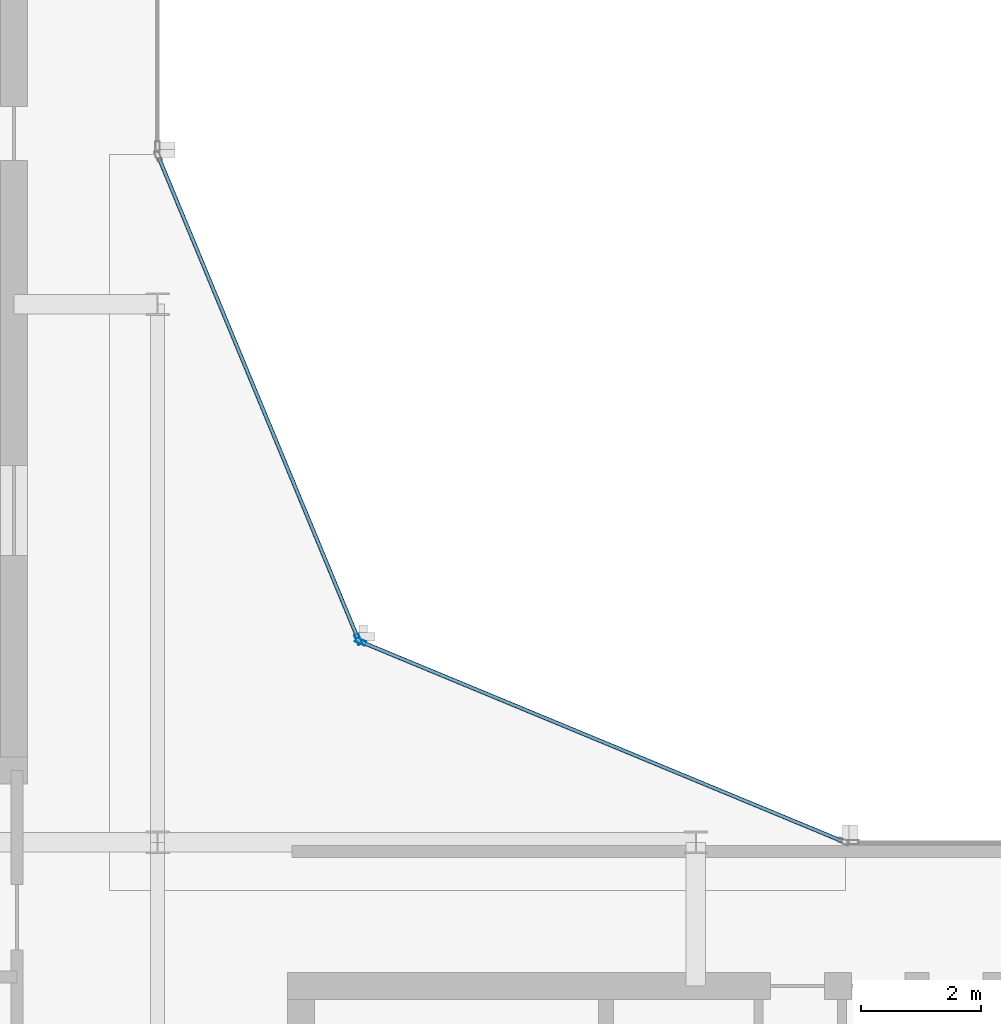
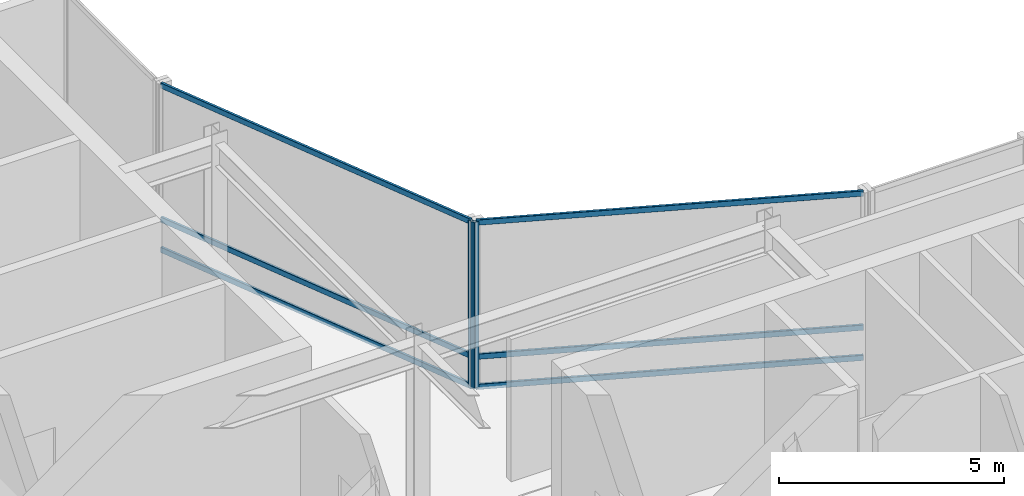
# One storey, part 10 of 23: 8 members, 2 elements without a shape of their own.
"""IFC4 building model written with IfcOpenShell, lengths in metres."""

import ifcopenshell
import ifcopenshell.guid

model = None  # the IFC model being written
_history = None  # IfcOwnerHistory: only IFC2X3 demands one
_inside = {}  # id of a spatial element -> (the spatial element, [elements in it])
_under = {}  # id of a project, library or spatial element -> (it, [spatial elements below it])
_declared = {}  # id of a project -> (the project, [libraries it declares])
_typed = {}  # id of a type object -> (the type object, [elements of that type])
_made_of = {}  # id of a material, layer set ... -> (it, [elements and type objects made of it])


def new_model(schema):
    """Start an empty IFC model of exactly this schema.

    Asked for "IFC4X3", IfcOpenShell would pick the latest addendum, in which some entities
    have other attributes; the version numbers below select the first issue.
    IFC2X3 requires an IfcOwnerHistory on every rooted entity: one is made here for all.
    """
    global model, _history
    if schema == "IFC4X3":
        model = ifcopenshell.file(schema_version=(4, 3, 0, 0))
    else:
        model = ifcopenshell.file(schema=schema)
    _inside.clear()
    _under.clear()
    _declared.clear()
    _typed.clear()
    _made_of.clear()
    _history = None
    if model.schema == "IFC2X3":
        org = make("IfcOrganization", Name="unknown")
        user = make(
            "IfcPersonAndOrganization",
            ThePerson=make("IfcPerson", FamilyName="unknown"),
            TheOrganization=org,
        )
        app = make(
            "IfcApplication",
            ApplicationDeveloper=org,
            Version="unknown",
            ApplicationFullName="unknown",
            ApplicationIdentifier="unknown",
        )
        _history = make(
            "IfcOwnerHistory",
            OwningUser=user,
            OwningApplication=app,
            ChangeAction="ADDED",
            CreationDate=0,
        )
    return model


def make(cls, **values):
    """One entity of the class cls with the attributes given. An attribute that is None is left unset."""
    return model.create_entity(
        cls, **{name: value for name, value in values.items() if value is not None}
    )


def rooted(cls, **values):
    """An entity with a GlobalId (a new one), such as an element, a storey or a relation."""
    return make(cls, GlobalId=ifcopenshell.guid.new(), OwnerHistory=_history, **values)


def si_unit(unit_type, name, prefix=None):
    """IfcSIUnit, for example si_unit("LENGTHUNIT", "METRE", prefix="MILLI")."""
    return make("IfcSIUnit", UnitType=unit_type, Prefix=prefix, Name=name)


def assignment(units):
    """IfcUnitAssignment: the units of a project."""
    return None if units is None else make("IfcUnitAssignment", Units=units)


def point(xyz):
    """IfcCartesianPoint."""
    return None if xyz is None else make("IfcCartesianPoint", Coordinates=xyz)


def direction(xyz):
    """IfcDirection."""
    return None if xyz is None else make("IfcDirection", DirectionRatios=xyz)


def frame(location, z_axis=None, x_axis=None):
    """IfcAxis2Placement3D, a coordinate frame: its origin and axes. An axis left out is left unset."""
    return make(
        "IfcAxis2Placement3D",
        Location=point(location),
        Axis=direction(z_axis),
        RefDirection=direction(x_axis),
    )


def frame_2d(location, x_axis=None):
    """IfcAxis2Placement2D, a coordinate frame in the plane: its origin and x axis."""
    return make(
        "IfcAxis2Placement2D", Location=point(location), RefDirection=direction(x_axis)
    )


def origin():
    """The frame at (0, 0, 0) with its axes left unset."""
    return frame((0.0, 0.0, 0.0))


def origin_2d():
    """The frame at (0, 0) in the plane with its x axis left unset."""
    return frame_2d((0.0, 0.0))


def place(relative_to, where):
    """IfcLocalPlacement: puts the frame where relative to a parent placement (None: the world)."""
    return make(
        "IfcLocalPlacement", PlacementRelTo=relative_to, RelativePlacement=where
    )


def context(
    kind, dimensions, precision=None, world=None, true_north=None, identifier=None
):
    """IfcGeometricRepresentationContext, for example the 3D "Model" context."""
    return make(
        "IfcGeometricRepresentationContext",
        ContextIdentifier=identifier,
        ContextType=kind,
        CoordinateSpaceDimension=dimensions,
        Precision=precision,
        WorldCoordinateSystem=world,
        TrueNorth=true_north,
    )


def subcontext(parent, identifier, kind, view, scale=None):
    """IfcGeometricRepresentationSubContext, for example "Body" below "Model"."""
    return make(
        "IfcGeometricRepresentationSubContext",
        ContextIdentifier=identifier,
        ContextType=kind,
        ParentContext=parent,
        TargetScale=scale,
        TargetView=view,
    )


def project(units=None, contexts=None):
    """IfcProject with its units and contexts."""
    return rooted(
        "IfcProject",
        Name="project",
        RepresentationContexts=contexts,
        UnitsInContext=assignment(units),
    )


def spatial(cls, under=None, at=None, **own):
    """A site, building, storey or space (cls), placed at a placement, below another one or the project."""
    s = rooted(cls, ObjectPlacement=at, **own)
    if under is not None:
        _under.setdefault(under.id(), (under, []))[1].append(s)
    return s


def profile(cls, at=None, kind="AREA", **sizes):
    """A parametric profile (cls). Its sizes go by their IFC names, for example OverallWidth=200.0."""
    return make(cls, ProfileType=kind, Position=at, **sizes)


def hollow_rectangle(**sizes):
    """IfcRectangleHollowProfileDef."""
    return profile("IfcRectangleHollowProfileDef", **sizes)


def extrude(swept, where, along, depth):
    """IfcExtrudedAreaSolid: the profile swept, set in the frame where, extruded along a direction by depth."""
    return make(
        "IfcExtrudedAreaSolid",
        SweptArea=swept,
        Position=where,
        ExtrudedDirection=direction(along),
        Depth=depth,
    )


def shape(context_of_items, identifier, shape_type, items):
    """IfcShapeRepresentation: the items that make up one representation, for example the "Body"."""
    return make(
        "IfcShapeRepresentation",
        ContextOfItems=context_of_items,
        RepresentationIdentifier=identifier,
        RepresentationType=shape_type,
        Items=items,
    )


def material(Name=None, Category=None):
    """IfcMaterial."""
    return make("IfcMaterial", Name=Name, Category=Category)


def layer(
    of_material, thickness, ventilated=None, Name=None, Category=None, Priority=None
):
    """IfcMaterialLayer: one layer of a wall or slab, of a material (None: an air gap)."""
    return make(
        "IfcMaterialLayer",
        Material=of_material,
        LayerThickness=thickness,
        IsVentilated=ventilated,
        Name=Name,
        Category=Category,
        Priority=Priority,
    )


def layer_set(layers, Name=None):
    """IfcMaterialLayerSet."""
    return make("IfcMaterialLayerSet", MaterialLayers=layers, LayerSetName=Name)


def material_profile(
    of_material, cross_section, Name=None, Category=None, Priority=None
):
    """IfcMaterialProfile: a cross section and its material."""
    return make(
        "IfcMaterialProfile",
        Name=Name,
        Material=of_material,
        Profile=cross_section,
        Priority=Priority,
        Category=Category,
    )


def profile_set(profiles, Name=None, composite=None):
    """IfcMaterialProfileSet."""
    return make(
        "IfcMaterialProfileSet",
        Name=Name,
        MaterialProfiles=profiles,
        CompositeProfile=composite,
    )


def made_of(thing, what):
    """Note that an element or type object is made of a material, layer set ...; save() writes the relation."""
    if what is not None:
        _made_of.setdefault(what.id(), (what, []))[1].append(thing)
    return thing


def type_object(cls, material=None, **own):
    """A type object (cls), such as IfcWallType, which elements share."""
    return made_of(rooted(cls, **own), material)


def element(
    cls,
    number,
    at=None,
    inside=None,
    cuts=None,
    type_object=None,
    material=None,
    context=None,
    identifier="Body",
    shape_type=None,
    held_by="IfcProductDefinitionShape",
    body=None,
    shapes=None,
    **own,
):
    """One element of the class cls, such as IfcWall. Its Tag is "e" and its number.

    at: its placement. inside: the storey or other place that contains it. cuts: it is an
    opening in that element (IfcRelVoidsElement). A single representation is given by context,
    identifier, shape_type and body (its items); several are given by shapes. held_by: the class
    of the entity that holds the representations. save() writes the other relations.
    """
    e = rooted(cls, Tag="e%d" % number, ObjectPlacement=at, **own)
    if body is not None:
        shapes = [shape(context, identifier, shape_type, body)]
    if shapes is not None:
        e.Representation = make(held_by, Representations=shapes)
    if inside is not None:
        _inside.setdefault(inside.id(), (inside, []))[1].append(e)
    if cuts is not None:
        rooted(
            "IfcRelVoidsElement", RelatingBuildingElement=cuts, RelatedOpeningElement=e
        )
    if type_object is not None:
        _typed.setdefault(type_object.id(), (type_object, []))[1].append(e)
    return made_of(e, material)


def aggregate(whole, parts):
    """IfcRelAggregates: a whole, such as a stair, and the parts it consists of."""
    return rooted("IfcRelAggregates", RelatingObject=whole, RelatedObjects=parts)


def save(model, path):
    """Write the relations noted so far, then the file.

    IfcRelAggregates (storeys below a building ...), IfcRelContainedInSpatialStructure (elements
    in a storey), IfcRelDefinesByType, IfcRelAssociatesMaterial and IfcRelDeclares: one each for
    every whole, place, type object, material and project.
    """
    for whole, parts in _under.values():
        aggregate(whole, parts)
    for where, things in _inside.values():
        rooted(
            "IfcRelContainedInSpatialStructure",
            RelatedElements=things,
            RelatingStructure=where,
        )
    for kind, things in _typed.values():
        rooted("IfcRelDefinesByType", RelatedObjects=things, RelatingType=kind)
    for what, things in _made_of.values():
        rooted("IfcRelAssociatesMaterial", RelatedObjects=things, RelatingMaterial=what)
    for by, libraries in _declared.values():
        rooted("IfcRelDeclares", RelatingContext=by, RelatedDefinitions=libraries)
    model.write(path)


model = new_model("IFC4")

# Units and contexts
model_context = context("Model", 3, precision=1e-05, world=origin(), true_north=direction((0.0, 1.0)))
body_context = subcontext(model_context, "Body", "Model", "MODEL_VIEW")
ifc_project = project(units=[si_unit("LENGTHUNIT", "METRE"), si_unit("AREAUNIT", "SQUARE_METRE"), si_unit("VOLUMEUNIT", "CUBIC_METRE"), si_unit("PLANEANGLEUNIT", "RADIAN"), si_unit("MASSUNIT", "GRAM", prefix="KILO")], contexts=[model_context])

# Site, building, storey
site_placement = place(None, origin())
site = spatial("IfcSite", under=ifc_project, at=site_placement, CompositionType="ELEMENT")
building_placement = place(site_placement, origin())
building = spatial("IfcBuilding", under=site, at=building_placement, Name="Solvaryn Broadcast Tower", CompositionType="ELEMENT")
storey_placement = place(building_placement, frame((0.0, 0.0, 285.199951171875)))
storey = spatial("IfcBuildingStorey", under=building, at=storey_placement, Name="L72", CompositionType="ELEMENT", Elevation=285.199951171875)

# Curtain wall, member
ifc_material_1 = material(Name="Aluminium and Terracotta Unitised Curtain Wall", Category="masonry")
ifc_layer = layer(ifc_material_1, 0.199951171875)
ifc_layer_set = layer_set([ifc_layer], Name="CW-SYS2-LOWMID")
curtain_wall_type = type_object("IfcCurtainWallType", Name="CW-SYS2-LOWMID", PredefinedType="NOTDEFINED", material=ifc_layer_set)
curtain_wall_1_placement = place(storey_placement, origin())
curtain_wall_1 = element("IfcCurtainWall", 1, at=curtain_wall_1_placement, inside=storey, type_object=curtain_wall_type, Name="L72 Curtain Wall CN1", PredefinedType="NOTDEFINED")
ifc_material_2 = material(Name="Anodised Aluminium 6063-T6", Category="aluminium")
ifc_material_profile_1 = material_profile(ifc_material_2, hollow_rectangle(XDim=0.074951171875, YDim=0.179931640625, WallThickness=0.00390625, InnerFilletRadius=0.00390625, OuterFilletRadius=0.008056640625, at=origin_2d()))
ifc_profile_set_1 = profile_set([ifc_material_profile_1], Name="Anodised Aluminium 6063-T6")
member_type_1 = type_object("IfcMemberType", Name="CW-MUL-180", PredefinedType="MULLION", material=ifc_profile_set_1)
member_1_placement = place(storey_placement, frame((30.395751953125, 30.3564453125, 0.0), z_axis=(0.0, 0.0, 1.0), x_axis=(-0.382646127145, -0.923894983957, 0.0)))
member_1 = element("IfcMember", 2, at=member_1_placement, type_object=member_type_1, Name="CWS2 mullion 2", PredefinedType="MULLION", context=body_context, shape_type="SweptSolid", body=[
    extrude(hollow_rectangle(XDim=0.074951171875, YDim=0.179931640625, WallThickness=0.00390625, InnerFilletRadius=0.00390625, OuterFilletRadius=0.008056640625, at=origin_2d()), origin(), (0.0, 0.0, 1.0), 4.52001953125),
])

curtain_wall_2_placement = place(storey_placement, origin())
curtain_wall_2 = element("IfcCurtainWall", 3, at=curtain_wall_2_placement, inside=storey, type_object=curtain_wall_type, Name="L72 Curtain Wall CN2", PredefinedType="NOTDEFINED")
member_2_placement = place(storey_placement, frame((30.3564453125, 30.395751953125, 0.0), z_axis=(0.0, 0.0, 1.0), x_axis=(-0.923894983957, -0.382646127145, 0.0)))
member_2 = element("IfcMember", 4, at=member_2_placement, type_object=member_type_1, Name="CWS2 mullion 1", PredefinedType="MULLION", context=body_context, shape_type="SweptSolid", body=[
    extrude(hollow_rectangle(XDim=0.074951171875, YDim=0.179931640625, WallThickness=0.00390625, InnerFilletRadius=0.00390625, OuterFilletRadius=0.008056640625, at=origin_2d()), origin(), (0.0, 0.0, 1.0), 4.52001953125),
])

# Member
ifc_material_3 = material(Name="Anodised Aluminium 6063-T6", Category="aluminium")
ifc_material_profile_2 = material_profile(ifc_material_3, hollow_rectangle(XDim=0.06494140625, YDim=0.14990234375, WallThickness=0.00390625, InnerFilletRadius=0.00390625, OuterFilletRadius=0.008056640625, at=origin_2d()))
ifc_profile_set_2 = profile_set([ifc_material_profile_2], Name="Anodised Aluminium 6063-T6")
member_type_2 = type_object("IfcMemberType", Name="CW-TRN-150", PredefinedType="USERDEFINED", material=ifc_profile_set_2)
member_3_placement = place(storey_placement, frame((38.444580078125, 27.02294921875, 0.030029296875), z_axis=(-0.923899282177, 0.382635748975, 0.0), x_axis=(-0.382635748975, -0.923899282177, 0.0)))
member_3 = element("IfcMember", 5, at=member_3_placement, type_object=member_type_2, Name="CWS2 transom 1.1", ObjectType="TRANSOM", PredefinedType="USERDEFINED", context=body_context, shape_type="SweptSolid", body=[
    extrude(hollow_rectangle(XDim=0.06494140625, YDim=0.14990234375, WallThickness=0.00390625, InnerFilletRadius=0.00390625, OuterFilletRadius=0.008056640625, at=origin_2d()), origin(), (0.0, 0.0, 1.0), 8.681884765625),
])

member_4_placement = place(storey_placement, frame((38.444580078125, 27.02294921875, 0.85009765625), z_axis=(-0.923899282177, 0.382635748975, 0.0), x_axis=(-0.382635748975, -0.923899282177, 0.0)))
member_4 = element("IfcMember", 6, at=member_4_placement, type_object=member_type_2, Name="CWS2 transom 1.2", ObjectType="TRANSOM", PredefinedType="USERDEFINED", context=body_context, shape_type="SweptSolid", body=[
    extrude(hollow_rectangle(XDim=0.06494140625, YDim=0.14990234375, WallThickness=0.00390625, InnerFilletRadius=0.00390625, OuterFilletRadius=0.008056640625, at=origin_2d()), origin(), (0.0, 0.0, 1.0), 8.681884765625),
])

member_5_placement = place(storey_placement, frame((38.444580078125, 27.02294921875, 4.489990234375), z_axis=(-0.923899282177, 0.382635748975, 0.0), x_axis=(-0.382635748975, -0.923899282177, 0.0)))
member_5 = element("IfcMember", 7, at=member_5_placement, type_object=member_type_2, Name="CWS2 transom 1.3", ObjectType="TRANSOM", PredefinedType="USERDEFINED", context=body_context, shape_type="SweptSolid", body=[
    extrude(hollow_rectangle(XDim=0.06494140625, YDim=0.14990234375, WallThickness=0.00390625, InnerFilletRadius=0.00390625, OuterFilletRadius=0.008056640625, at=origin_2d()), origin(), (0.0, 0.0, 1.0), 8.681884765625),
])

aggregate(curtain_wall_1, [member_1, member_3, member_4, member_5])

member_6_placement = place(storey_placement, frame((30.344970703125, 30.42333984375, 0.030029296875), z_axis=(-0.382635748975, 0.923899282177, 0.0), x_axis=(-0.923899282177, -0.382635748975, 0.0)))
member_6 = element("IfcMember", 8, at=member_6_placement, type_object=member_type_2, Name="CWS2 transom 1.1", ObjectType="TRANSOM", PredefinedType="USERDEFINED", context=body_context, shape_type="SweptSolid", body=[
    extrude(hollow_rectangle(XDim=0.06494140625, YDim=0.14990234375, WallThickness=0.00390625, InnerFilletRadius=0.00390625, OuterFilletRadius=0.008056640625, at=origin_2d()), origin(), (0.0, 0.0, 1.0), 8.681884765625),
])

member_7_placement = place(storey_placement, frame((30.344970703125, 30.42333984375, 0.85009765625), z_axis=(-0.382635748975, 0.923899282177, 0.0), x_axis=(-0.923899282177, -0.382635748975, 0.0)))
member_7 = element("IfcMember", 9, at=member_7_placement, type_object=member_type_2, Name="CWS2 transom 1.2", ObjectType="TRANSOM", PredefinedType="USERDEFINED", context=body_context, shape_type="SweptSolid", body=[
    extrude(hollow_rectangle(XDim=0.06494140625, YDim=0.14990234375, WallThickness=0.00390625, InnerFilletRadius=0.00390625, OuterFilletRadius=0.008056640625, at=origin_2d()), origin(), (0.0, 0.0, 1.0), 8.681884765625),
])

member_8_placement = place(storey_placement, frame((30.344970703125, 30.42333984375, 4.489990234375), z_axis=(-0.382635748975, 0.923899282177, 0.0), x_axis=(-0.923899282177, -0.382635748975, 0.0)))
member_8 = element("IfcMember", 10, at=member_8_placement, type_object=member_type_2, Name="CWS2 transom 1.3", ObjectType="TRANSOM", PredefinedType="USERDEFINED", context=body_context, shape_type="SweptSolid", body=[
    extrude(hollow_rectangle(XDim=0.06494140625, YDim=0.14990234375, WallThickness=0.00390625, InnerFilletRadius=0.00390625, OuterFilletRadius=0.008056640625, at=origin_2d()), origin(), (0.0, 0.0, 1.0), 8.681884765625),
])

aggregate(curtain_wall_2, [member_2, member_6, member_7, member_8])

save(model, "model.ifc")
